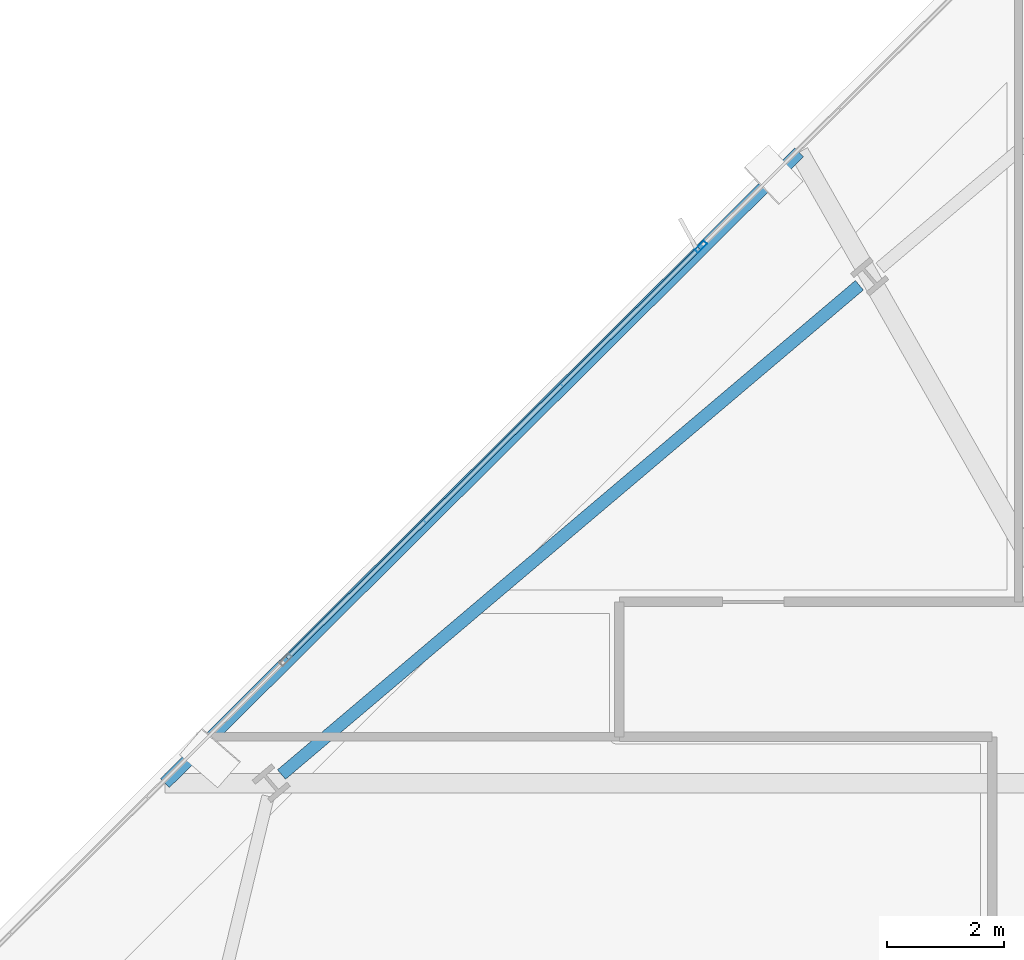
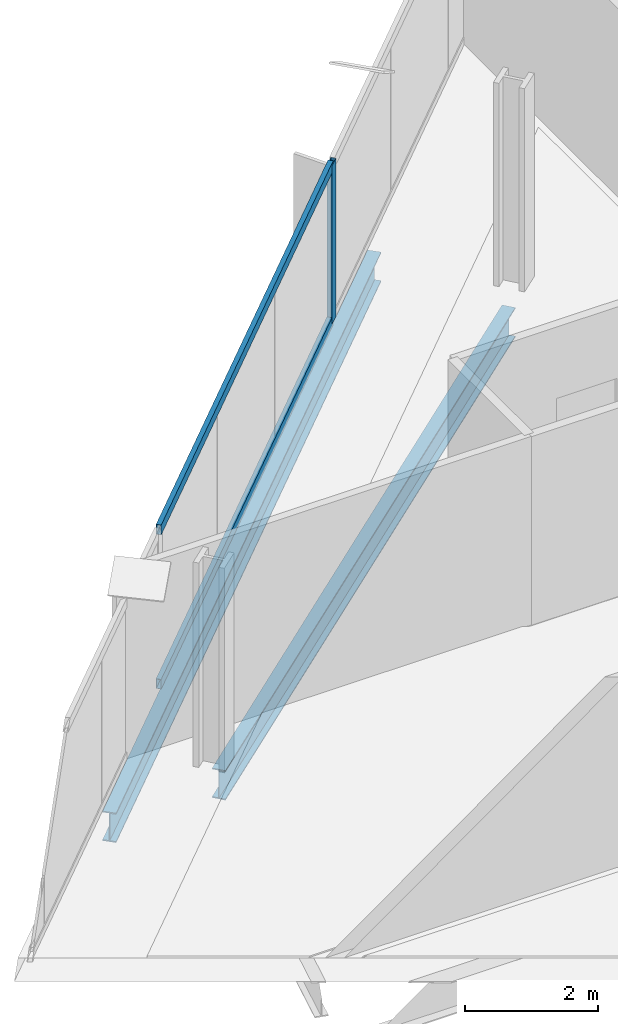
# One storey, part 15 of 32: 3 members, 2 beams, 1 element without a shape of its own.
"""IFC4 building model written with IfcOpenShell, lengths in metres."""

from ifc_helpers import new_model, si_unit, direction, frame, origin, origin_2d, place, context, subcontext, project, spatial, hollow_rectangle, i_section, extrude, material, material_profile, profile_set, type_object, element, aggregate, save


model = new_model("IFC4")

# Units and contexts
model_context = context("Model", 3, precision=1e-05, world=origin(), true_north=direction((0.0, 1.0)))
body_context = subcontext(model_context, "Body", "Model", "MODEL_VIEW")
ifc_project = project(units=[si_unit("LENGTHUNIT", "METRE"), si_unit("AREAUNIT", "SQUARE_METRE"), si_unit("VOLUMEUNIT", "CUBIC_METRE"), si_unit("PLANEANGLEUNIT", "RADIAN"), si_unit("MASSUNIT", "GRAM", prefix="KILO")], contexts=[model_context])

# Site, building, storey
site_placement = place(None, origin())
site = spatial("IfcSite", under=ifc_project, at=site_placement, CompositionType="ELEMENT")
building_placement = place(site_placement, origin())
building = spatial("IfcBuilding", under=site, at=building_placement, Name="Haldenkirk Collegiate Tower", CompositionType="ELEMENT")
storey_placement = place(building_placement, frame((0.0, 0.0, 178.199951171875)))
storey = spatial("IfcBuildingStorey", under=building, at=storey_placement, Name="L44", CompositionType="ELEMENT", Elevation=178.199951171875)

# Beams
ifc_material_1 = material(Name="Steel ASTM A992 Grade 50", Category="steel")
ifc_material_profile_1 = material_profile(ifc_material_1, i_section(OverallWidth=0.2119140625, OverallDepth=0.5439453125, WebThickness=0.01318359375, FlangeThickness=0.021240234375, at=origin_2d()), Name="W21X83")
ifc_profile_set_1 = profile_set([ifc_material_profile_1], Name="Steel ASTM A992 Grade 50")
beam_type = type_object("IfcBeamType", Name="BM-SPANDREL-W21X83", PredefinedType="SPANDREL", material=ifc_profile_set_1)
beam_1_placement = place(storey_placement, frame((22.288818359375, 41.841796875, -0.56201171875), z_axis=(-0.76322543275, -0.64613229203, 0.0), x_axis=(0.64613229203, -0.76322543275, 0.0)))
element("IfcBeam", 1, at=beam_1_placement, inside=storey, type_object=beam_type, Name="L44 perimeter spandrel beam 11", PredefinedType="SPANDREL", context=body_context, shape_type="SweptSolid", body=[
    extrude(i_section(OverallWidth=0.2119140625, OverallDepth=0.5439453125, WebThickness=0.01318359375, FlangeThickness=0.021240234375, at=origin_2d()), origin(), (0.0, 0.0, 1.0), 12.89794921875),
])
beam_2_placement = place(storey_placement, frame((21.26220703125, 44.105712890625, -0.56201171875), z_axis=(-0.708955061263, -0.705253657282, 0.0), x_axis=(0.705253657282, -0.708955061263, 0.0)))
element("IfcBeam", 2, at=beam_2_placement, inside=storey, type_object=beam_type, Name="L44 outer facade edge beam 3", PredefinedType="SPANDREL", context=body_context, shape_type="SweptSolid", body=[
    extrude(i_section(OverallWidth=0.2119140625, OverallDepth=0.5439453125, WebThickness=0.01318359375, FlangeThickness=0.021240234375, at=origin_2d()), origin(), (0.0, 0.0, 1.0), 15.236572265625),
])

# Curtain wall, members
ifc_material_2 = material(Name="Anodised architectural bronze aluminium", Category="aluminium")
curtain_wall_type = type_object("IfcCurtainWallType", Name="CW-SYS1-CONVEX-LOW", PredefinedType="USERDEFINED", material=ifc_material_2)
curtain_wall_placement = place(storey_placement, origin())
curtain_wall = element("IfcCurtainWall", 3, at=curtain_wall_placement, inside=storey, type_object=curtain_wall_type, Name="L44 Lower tower convex bronze-framed unitised curtain wall", ObjectType="UNITISED CURTAIN WALL", PredefinedType="USERDEFINED")
ifc_material_profile_2 = material_profile(ifc_material_2, hollow_rectangle(XDim=0.080078125, YDim=0.219970703125, WallThickness=0.0048828125, at=origin_2d()), Name="CW-MUL-1A")
ifc_profile_set_2 = profile_set([ifc_material_profile_2], Name="Anodised architectural bronze aluminium")
member_type_1 = type_object("IfcMemberType", Name="CW-MUL-1A", PredefinedType="MULLION", material=ifc_profile_set_2)
member_1_placement = place(storey_placement, frame((19.588623046875, 42.497314453125, 0.0), z_axis=(0.0, 0.0, 1.0), x_axis=(-0.705254733822, 0.708953990342, 0.0)))
member_1 = element("IfcMember", 4, at=member_1_placement, type_object=member_type_1, Name="CW-1A mullion 3", PredefinedType="MULLION", context=body_context, shape_type="SweptSolid", body=[
    extrude(hollow_rectangle(XDim=0.080078125, YDim=0.219970703125, WallThickness=0.0048828125, at=origin_2d()), origin(), (0.0, 0.0, 1.0), 2.9111328125),
])
ifc_material_profile_3 = material_profile(ifc_material_2, hollow_rectangle(XDim=0.080078125, YDim=0.179931640625, WallThickness=0.0048828125, at=origin_2d()), Name="CW-TRN-1A")
ifc_profile_set_3 = profile_set([ifc_material_profile_3], Name="Anodised architectural bronze aluminium")
member_type_2 = type_object("IfcMemberType", Name="CW-TRN-1A", PredefinedType="USERDEFINED", material=ifc_profile_set_3)
member_2_placement = place(storey_placement, frame((12.545166015625, 35.49072265625, 0.0400390625), z_axis=(0.708954837093, 0.705253882629, 0.0), x_axis=(-0.705253882629, 0.708954837093, 0.0)))
member_2 = element("IfcMember", 5, at=member_2_placement, type_object=member_type_2, Name="CW-1A transom 2.1", ObjectType="TRANSOM", PredefinedType="USERDEFINED", context=body_context, shape_type="SweptSolid", body=[
    extrude(hollow_rectangle(XDim=0.080078125, YDim=0.179931640625, WallThickness=0.0048828125, at=origin_2d()), origin(), (0.0, 0.0, 1.0), 9.89501953125),
])
member_3_placement = place(storey_placement, frame((12.545166015625, 35.49072265625, 2.87109375), z_axis=(0.708954837093, 0.705253882629, 0.0), x_axis=(-0.705253882629, 0.708954837093, 0.0)))
member_3 = element("IfcMember", 6, at=member_3_placement, type_object=member_type_2, Name="CW-1A transom 2.2", ObjectType="TRANSOM", PredefinedType="USERDEFINED", context=body_context, shape_type="SweptSolid", body=[
    extrude(hollow_rectangle(XDim=0.080078125, YDim=0.179931640625, WallThickness=0.0048828125, at=origin_2d()), origin(), (0.0, 0.0, 1.0), 9.89501953125),
])
aggregate(curtain_wall, [member_1, member_2, member_3])

save(model, "model.ifc")
